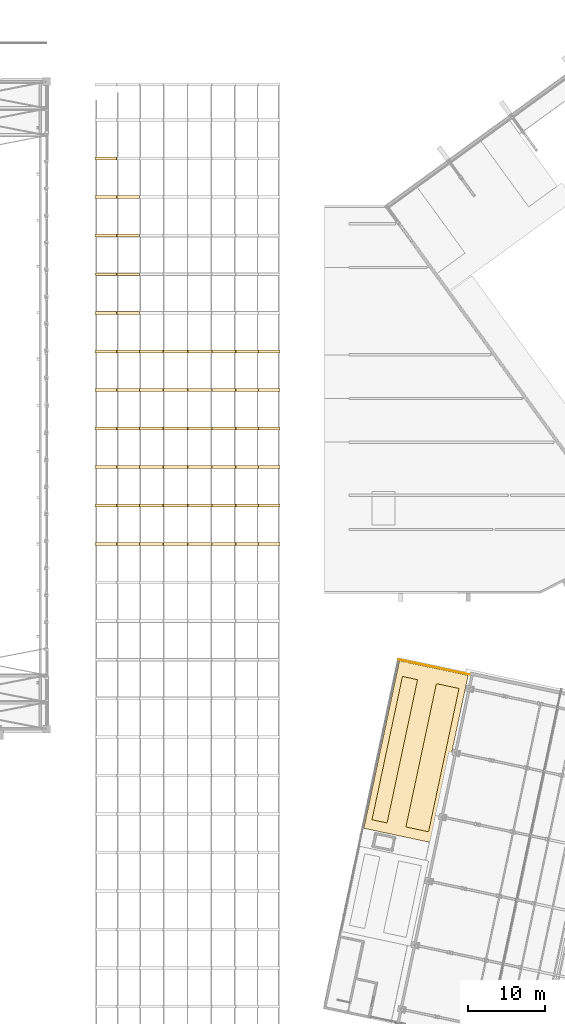
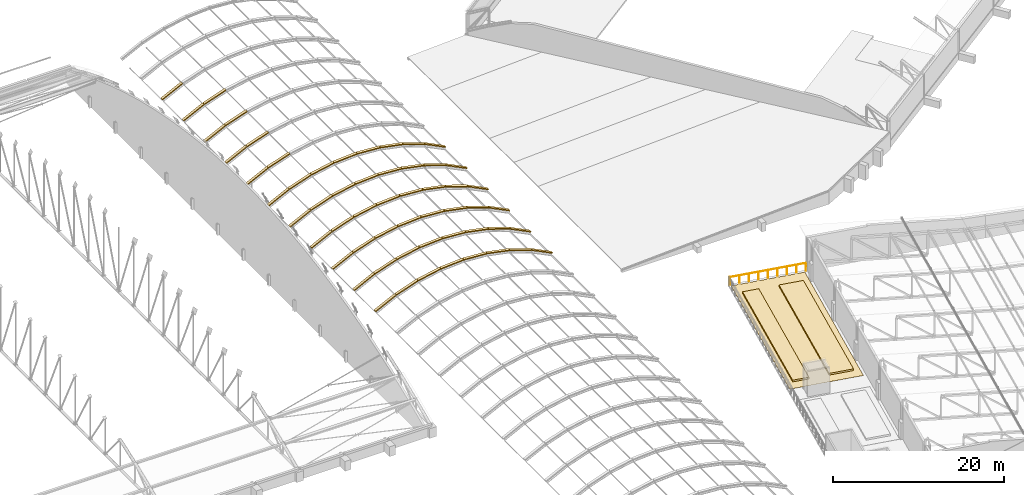
# One storey, part 195 of 196: 60 coverings, 1 railing.
"""IFC4 building model written with IfcOpenShell, lengths in metres."""

from ifc_helpers import new_model, si_unit, direction, frame, origin, origin_2d, place, context, subcontext, project, spatial, polyline, circle, outline, extrude, material, layer, layer_set, type_object, element, save


model = new_model("IFC4")

# Units and contexts
model_context = context("Model", 3, precision=1e-05, world=origin(), true_north=direction((0.0, 1.0)))
body_context = subcontext(model_context, "Body", "Model", "MODEL_VIEW")
ifc_project = project(units=[si_unit("LENGTHUNIT", "METRE"), si_unit("AREAUNIT", "SQUARE_METRE"), si_unit("VOLUMEUNIT", "CUBIC_METRE"), si_unit("PLANEANGLEUNIT", "RADIAN"), si_unit("MASSUNIT", "GRAM", prefix="KILO")], contexts=[model_context])

# Site, building, storey
site_placement = place(None, origin())
site = spatial("IfcSite", under=ifc_project, at=site_placement, CompositionType="ELEMENT")
building_placement = place(site_placement, origin())
building = spatial("IfcBuilding", under=site, at=building_placement, Name="Okhra Congress Centre", CompositionType="ELEMENT")
storey_placement = place(building_placement, frame((0.0, 0.0, 12.0)))
storey = spatial("IfcBuildingStorey", under=building, at=storey_placement, Name="L02", CompositionType="ELEMENT", Elevation=12.0)

# Coverings
ifc_material_1 = material(Name="Extruded aluminium capping, thermally broken", Category="aluminium")
ifc_layer_1 = layer(ifc_material_1, 0.139892578125)
ifc_layer_set_1 = layer_set([ifc_layer_1], Name="Aluminium rib capping 380")
covering_type_1 = type_object("IfcCoveringType", Name="Aluminium rib capping 380", PredefinedType="CLADDING", material=ifc_layer_set_1)
covering_1_placement = place(storey_placement, frame((160.248291015625, 155.81005859375, 1.1064453125), z_axis=(-0.445569024037, 0.0, 0.895247588558), x_axis=(0.895247588558, 0.0, 0.445569024037)))
element("IfcCovering", 1, at=covering_1_placement, inside=storey, type_object=covering_type_1, Name="Rib capping 17.3", PredefinedType="CLADDING", context=body_context, shape_type="SweptSolid", body=[
    extrude(outline(polyline([(0.0, 0.0), (3.089229209156341, 0.0), (3.089229209156341, 0.3798828125), (0.0, 0.3798828125), (0.0, 0.0)])), origin(), (0.0, 0.0, -1.0), 0.139892578125),
])
covering_2_placement = place(storey_placement, frame((163.069091796875, 155.81005859375, 2.506103515625), z_axis=(-0.323875724276, 0.0, 0.946099632822), x_axis=(0.946099632822, 0.0, 0.323875724276)))
element("IfcCovering", 2, at=covering_2_placement, inside=storey, type_object=covering_type_1, Name="Rib capping 17.4", PredefinedType="CLADDING", context=body_context, shape_type="SweptSolid", body=[
    extrude(outline(polyline([(0.0, 0.0), (3.0891116754363894, 0.0), (3.0891116754363894, 0.3798828125), (0.0, 0.3798828125), (0.0, 0.0)])), origin(), (0.0, 0.0, -1.0), 0.139892578125),
])
covering_3_placement = place(storey_placement, frame((166.049560546875, 155.81005859375, 3.522216796875), z_axis=(-0.196632858865, 0.0, 0.980477189339), x_axis=(0.980477189339, 0.0, 0.196632858865)))
element("IfcCovering", 3, at=covering_3_placement, inside=storey, type_object=covering_type_1, Name="Rib capping 17.5", PredefinedType="CLADDING", context=body_context, shape_type="SweptSolid", body=[
    extrude(outline(polyline([(0.0, 0.0), (3.089116836864927, 0.0), (3.089116836864927, 0.3798828125), (0.0, 0.3798828125), (0.0, 0.0)])), origin(), (0.0, 0.0, -1.0), 0.139892578125),
])
for number, where, z_axis, x_axis, name in (
    (4, (169.1376953125, 155.81005859375, 4.137451171875), (-0.065994431109, 0.0, 0.997819991312), (0.997819991312, 0.0, 0.065994431109), "Rib capping 17.6"),
    (5, (172.280029296875, 155.81005859375, 4.34130859375), (0.065994431109, 0.0, 0.997819991312), (0.997819991312, 0.0, -0.065994431109), "Rib capping 17.7"),
):
    element("IfcCovering", number, at=place(storey_placement, frame(where, z_axis=z_axis, x_axis=x_axis)), inside=storey, type_object=covering_type_1, Name=name, PredefinedType="CLADDING", context=body_context, shape_type="SweptSolid", body=[
        extrude(outline(polyline([(0.0, 0.0), (3.0890094580797283, 0.0), (3.0890094580797283, 0.3798828125), (0.0, 0.3798828125), (0.0, 0.0)])), origin(), (0.0, 0.0, -1.0), 0.139892578125),
    ])
covering_4_placement = place(storey_placement, frame((175.421630859375, 155.81005859375, 4.129638671875), z_axis=(0.196632858865, 0.0, 0.980477189339), x_axis=(0.980477189339, 0.0, -0.196632858865)))
element("IfcCovering", 6, at=covering_4_placement, inside=storey, type_object=covering_type_1, Name="Rib capping 17.8", PredefinedType="CLADDING", context=body_context, shape_type="SweptSolid", body=[
    extrude(outline(polyline([(0.0, 0.0), (3.089116836864927, 0.0), (3.089116836864927, 0.3798828125), (0.0, 0.3798828125), (0.0, 0.0)])), origin(), (0.0, 0.0, -1.0), 0.139892578125),
])
covering_5_placement = place(storey_placement, frame((178.50830078125, 155.81005859375, 3.506591796875), z_axis=(0.323875724276, 0.0, 0.946099632822), x_axis=(0.946099632822, 0.0, -0.323875724276)))
element("IfcCovering", 7, at=covering_5_placement, inside=storey, type_object=covering_type_1, Name="Rib capping 17.9", PredefinedType="CLADDING", context=body_context, shape_type="SweptSolid", body=[
    extrude(outline(polyline([(0.0, 0.0), (3.0891116754363894, 0.0), (3.0891116754363894, 0.3798828125), (0.0, 0.3798828125), (0.0, 0.0)])), origin(), (0.0, 0.0, -1.0), 0.139892578125),
])
for number, where, z_axis, x_axis, name in (
    (8, (181.486083984375, 155.81005859375, 2.48291015625), (0.445569024037, 0.0, 0.895247588558), (0.895247588558, 0.0, -0.445569024037), "Rib capping 17.10"),
    (9, (160.248291015625, 160.81005859375, 1.1064453125), (-0.445569024037, 0.0, 0.895247588558), (0.895247588558, 0.0, 0.445569024037), "Rib capping 18.3"),
):
    element("IfcCovering", number, at=place(storey_placement, frame(where, z_axis=z_axis, x_axis=x_axis)), inside=storey, type_object=covering_type_1, Name=name, PredefinedType="CLADDING", context=body_context, shape_type="SweptSolid", body=[
        extrude(outline(polyline([(0.0, 0.0), (3.089229209156341, 0.0), (3.089229209156341, 0.3798828125), (0.0, 0.3798828125), (0.0, 0.0)])), origin(), (0.0, 0.0, -1.0), 0.139892578125),
    ])
covering_6_placement = place(storey_placement, frame((163.069091796875, 160.81005859375, 2.506103515625), z_axis=(-0.323875724276, 0.0, 0.946099632822), x_axis=(0.946099632822, 0.0, 0.323875724276)))
element("IfcCovering", 10, at=covering_6_placement, inside=storey, type_object=covering_type_1, Name="Rib capping 18.4", PredefinedType="CLADDING", context=body_context, shape_type="SweptSolid", body=[
    extrude(outline(polyline([(0.0, 0.0), (3.0891116754363894, 0.0), (3.0891116754363894, 0.3798828125), (0.0, 0.3798828125), (0.0, 0.0)])), origin(), (0.0, 0.0, -1.0), 0.139892578125),
])
covering_7_placement = place(storey_placement, frame((166.049560546875, 160.81005859375, 3.522216796875), z_axis=(-0.196632858865, 0.0, 0.980477189339), x_axis=(0.980477189339, 0.0, 0.196632858865)))
element("IfcCovering", 11, at=covering_7_placement, inside=storey, type_object=covering_type_1, Name="Rib capping 18.5", PredefinedType="CLADDING", context=body_context, shape_type="SweptSolid", body=[
    extrude(outline(polyline([(0.0, 0.0), (3.089116836864927, 0.0), (3.089116836864927, 0.3798828125), (0.0, 0.3798828125), (0.0, 0.0)])), origin(), (0.0, 0.0, -1.0), 0.139892578125),
])
for number, where, z_axis, x_axis, name in (
    (12, (169.1376953125, 160.81005859375, 4.137451171875), (-0.065994431109, 0.0, 0.997819991312), (0.997819991312, 0.0, 0.065994431109), "Rib capping 18.6"),
    (13, (172.280029296875, 160.81005859375, 4.34130859375), (0.065994431109, 0.0, 0.997819991312), (0.997819991312, 0.0, -0.065994431109), "Rib capping 18.7"),
):
    element("IfcCovering", number, at=place(storey_placement, frame(where, z_axis=z_axis, x_axis=x_axis)), inside=storey, type_object=covering_type_1, Name=name, PredefinedType="CLADDING", context=body_context, shape_type="SweptSolid", body=[
        extrude(outline(polyline([(0.0, 0.0), (3.0890094580797283, 0.0), (3.0890094580797283, 0.3798828125), (0.0, 0.3798828125), (0.0, 0.0)])), origin(), (0.0, 0.0, -1.0), 0.139892578125),
    ])
covering_8_placement = place(storey_placement, frame((175.421630859375, 160.81005859375, 4.129638671875), z_axis=(0.196632858865, 0.0, 0.980477189339), x_axis=(0.980477189339, 0.0, -0.196632858865)))
element("IfcCovering", 14, at=covering_8_placement, inside=storey, type_object=covering_type_1, Name="Rib capping 18.8", PredefinedType="CLADDING", context=body_context, shape_type="SweptSolid", body=[
    extrude(outline(polyline([(0.0, 0.0), (3.089116836864927, 0.0), (3.089116836864927, 0.3798828125), (0.0, 0.3798828125), (0.0, 0.0)])), origin(), (0.0, 0.0, -1.0), 0.139892578125),
])
covering_9_placement = place(storey_placement, frame((178.50830078125, 160.81005859375, 3.506591796875), z_axis=(0.323875724276, 0.0, 0.946099632822), x_axis=(0.946099632822, 0.0, -0.323875724276)))
element("IfcCovering", 15, at=covering_9_placement, inside=storey, type_object=covering_type_1, Name="Rib capping 18.9", PredefinedType="CLADDING", context=body_context, shape_type="SweptSolid", body=[
    extrude(outline(polyline([(0.0, 0.0), (3.0891116754363894, 0.0), (3.0891116754363894, 0.3798828125), (0.0, 0.3798828125), (0.0, 0.0)])), origin(), (0.0, 0.0, -1.0), 0.139892578125),
])
for number, where, z_axis, x_axis, name in (
    (16, (181.486083984375, 160.81005859375, 2.48291015625), (0.445569024037, 0.0, 0.895247588558), (0.895247588558, 0.0, -0.445569024037), "Rib capping 18.10"),
    (17, (160.248291015625, 165.81005859375, 1.1064453125), (-0.445569024037, 0.0, 0.895247588558), (0.895247588558, 0.0, 0.445569024037), "Rib capping 19.3"),
):
    element("IfcCovering", number, at=place(storey_placement, frame(where, z_axis=z_axis, x_axis=x_axis)), inside=storey, type_object=covering_type_1, Name=name, PredefinedType="CLADDING", context=body_context, shape_type="SweptSolid", body=[
        extrude(outline(polyline([(0.0, 0.0), (3.089229209156341, 0.0), (3.089229209156341, 0.3798828125), (0.0, 0.3798828125), (0.0, 0.0)])), origin(), (0.0, 0.0, -1.0), 0.139892578125),
    ])
covering_10_placement = place(storey_placement, frame((163.069091796875, 165.81005859375, 2.506103515625), z_axis=(-0.323875724276, 0.0, 0.946099632822), x_axis=(0.946099632822, 0.0, 0.323875724276)))
element("IfcCovering", 18, at=covering_10_placement, inside=storey, type_object=covering_type_1, Name="Rib capping 19.4", PredefinedType="CLADDING", context=body_context, shape_type="SweptSolid", body=[
    extrude(outline(polyline([(0.0, 0.0), (3.0891116754363894, 0.0), (3.0891116754363894, 0.3798828125), (0.0, 0.3798828125), (0.0, 0.0)])), origin(), (0.0, 0.0, -1.0), 0.139892578125),
])
covering_11_placement = place(storey_placement, frame((166.049560546875, 165.81005859375, 3.522216796875), z_axis=(-0.196632858865, 0.0, 0.980477189339), x_axis=(0.980477189339, 0.0, 0.196632858865)))
element("IfcCovering", 19, at=covering_11_placement, inside=storey, type_object=covering_type_1, Name="Rib capping 19.5", PredefinedType="CLADDING", context=body_context, shape_type="SweptSolid", body=[
    extrude(outline(polyline([(0.0, 0.0), (3.089116836864927, 0.0), (3.089116836864927, 0.3798828125), (0.0, 0.3798828125), (0.0, 0.0)])), origin(), (0.0, 0.0, -1.0), 0.139892578125),
])
for number, where, z_axis, x_axis, name in (
    (20, (169.1376953125, 165.81005859375, 4.137451171875), (-0.065994431109, 0.0, 0.997819991312), (0.997819991312, 0.0, 0.065994431109), "Rib capping 19.6"),
    (21, (172.280029296875, 165.81005859375, 4.34130859375), (0.065994431109, 0.0, 0.997819991312), (0.997819991312, 0.0, -0.065994431109), "Rib capping 19.7"),
):
    element("IfcCovering", number, at=place(storey_placement, frame(where, z_axis=z_axis, x_axis=x_axis)), inside=storey, type_object=covering_type_1, Name=name, PredefinedType="CLADDING", context=body_context, shape_type="SweptSolid", body=[
        extrude(outline(polyline([(0.0, 0.0), (3.0890094580797283, 0.0), (3.0890094580797283, 0.3798828125), (0.0, 0.3798828125), (0.0, 0.0)])), origin(), (0.0, 0.0, -1.0), 0.139892578125),
    ])
covering_12_placement = place(storey_placement, frame((175.421630859375, 165.81005859375, 4.129638671875), z_axis=(0.196632858865, 0.0, 0.980477189339), x_axis=(0.980477189339, 0.0, -0.196632858865)))
element("IfcCovering", 22, at=covering_12_placement, inside=storey, type_object=covering_type_1, Name="Rib capping 19.8", PredefinedType="CLADDING", context=body_context, shape_type="SweptSolid", body=[
    extrude(outline(polyline([(0.0, 0.0), (3.089116836864927, 0.0), (3.089116836864927, 0.3798828125), (0.0, 0.3798828125), (0.0, 0.0)])), origin(), (0.0, 0.0, -1.0), 0.139892578125),
])
covering_13_placement = place(storey_placement, frame((178.50830078125, 165.81005859375, 3.506591796875), z_axis=(0.323875724276, 0.0, 0.946099632822), x_axis=(0.946099632822, 0.0, -0.323875724276)))
element("IfcCovering", 23, at=covering_13_placement, inside=storey, type_object=covering_type_1, Name="Rib capping 19.9", PredefinedType="CLADDING", context=body_context, shape_type="SweptSolid", body=[
    extrude(outline(polyline([(0.0, 0.0), (3.0891116754363894, 0.0), (3.0891116754363894, 0.3798828125), (0.0, 0.3798828125), (0.0, 0.0)])), origin(), (0.0, 0.0, -1.0), 0.139892578125),
])
for number, where, z_axis, x_axis, name in (
    (24, (181.486083984375, 165.81005859375, 2.48291015625), (0.445569024037, 0.0, 0.895247588558), (0.895247588558, 0.0, -0.445569024037), "Rib capping 19.10"),
    (25, (160.248291015625, 170.81005859375, 1.1064453125), (-0.445569024037, 0.0, 0.895247588558), (0.895247588558, 0.0, 0.445569024037), "Rib capping 20.3"),
):
    element("IfcCovering", number, at=place(storey_placement, frame(where, z_axis=z_axis, x_axis=x_axis)), inside=storey, type_object=covering_type_1, Name=name, PredefinedType="CLADDING", context=body_context, shape_type="SweptSolid", body=[
        extrude(outline(polyline([(0.0, 0.0), (3.089229209156341, 0.0), (3.089229209156341, 0.3798828125), (0.0, 0.3798828125), (0.0, 0.0)])), origin(), (0.0, 0.0, -1.0), 0.139892578125),
    ])
covering_14_placement = place(storey_placement, frame((163.069091796875, 170.81005859375, 2.506103515625), z_axis=(-0.323875724276, 0.0, 0.946099632822), x_axis=(0.946099632822, 0.0, 0.323875724276)))
element("IfcCovering", 26, at=covering_14_placement, inside=storey, type_object=covering_type_1, Name="Rib capping 20.4", PredefinedType="CLADDING", context=body_context, shape_type="SweptSolid", body=[
    extrude(outline(polyline([(0.0, 0.0), (3.0891116754363894, 0.0), (3.0891116754363894, 0.3798828125), (0.0, 0.3798828125), (0.0, 0.0)])), origin(), (0.0, 0.0, -1.0), 0.139892578125),
])
covering_15_placement = place(storey_placement, frame((166.049560546875, 170.81005859375, 3.522216796875), z_axis=(-0.196632858865, 0.0, 0.980477189339), x_axis=(0.980477189339, 0.0, 0.196632858865)))
element("IfcCovering", 27, at=covering_15_placement, inside=storey, type_object=covering_type_1, Name="Rib capping 20.5", PredefinedType="CLADDING", context=body_context, shape_type="SweptSolid", body=[
    extrude(outline(polyline([(0.0, 0.0), (3.089116836864927, 0.0), (3.089116836864927, 0.3798828125), (0.0, 0.3798828125), (0.0, 0.0)])), origin(), (0.0, 0.0, -1.0), 0.139892578125),
])
for number, where, z_axis, x_axis, name in (
    (28, (169.1376953125, 170.81005859375, 4.137451171875), (-0.065994431109, 0.0, 0.997819991312), (0.997819991312, 0.0, 0.065994431109), "Rib capping 20.6"),
    (29, (172.280029296875, 170.81005859375, 4.34130859375), (0.065994431109, 0.0, 0.997819991312), (0.997819991312, 0.0, -0.065994431109), "Rib capping 20.7"),
):
    element("IfcCovering", number, at=place(storey_placement, frame(where, z_axis=z_axis, x_axis=x_axis)), inside=storey, type_object=covering_type_1, Name=name, PredefinedType="CLADDING", context=body_context, shape_type="SweptSolid", body=[
        extrude(outline(polyline([(0.0, 0.0), (3.0890094580797283, 0.0), (3.0890094580797283, 0.3798828125), (0.0, 0.3798828125), (0.0, 0.0)])), origin(), (0.0, 0.0, -1.0), 0.139892578125),
    ])
covering_16_placement = place(storey_placement, frame((175.421630859375, 170.81005859375, 4.129638671875), z_axis=(0.196632858865, 0.0, 0.980477189339), x_axis=(0.980477189339, 0.0, -0.196632858865)))
element("IfcCovering", 30, at=covering_16_placement, inside=storey, type_object=covering_type_1, Name="Rib capping 20.8", PredefinedType="CLADDING", context=body_context, shape_type="SweptSolid", body=[
    extrude(outline(polyline([(0.0, 0.0), (3.089116836864927, 0.0), (3.089116836864927, 0.3798828125), (0.0, 0.3798828125), (0.0, 0.0)])), origin(), (0.0, 0.0, -1.0), 0.139892578125),
])
covering_17_placement = place(storey_placement, frame((178.50830078125, 170.81005859375, 3.506591796875), z_axis=(0.323875724276, 0.0, 0.946099632822), x_axis=(0.946099632822, 0.0, -0.323875724276)))
element("IfcCovering", 31, at=covering_17_placement, inside=storey, type_object=covering_type_1, Name="Rib capping 20.9", PredefinedType="CLADDING", context=body_context, shape_type="SweptSolid", body=[
    extrude(outline(polyline([(0.0, 0.0), (3.0891116754363894, 0.0), (3.0891116754363894, 0.3798828125), (0.0, 0.3798828125), (0.0, 0.0)])), origin(), (0.0, 0.0, -1.0), 0.139892578125),
])
for number, where, z_axis, x_axis, name in (
    (32, (181.486083984375, 170.81005859375, 2.48291015625), (0.445569024037, 0.0, 0.895247588558), (0.895247588558, 0.0, -0.445569024037), "Rib capping 20.10"),
    (33, (160.248291015625, 175.81005859375, 1.1064453125), (-0.445569024037, 0.0, 0.895247588558), (0.895247588558, 0.0, 0.445569024037), "Rib capping 21.3"),
):
    element("IfcCovering", number, at=place(storey_placement, frame(where, z_axis=z_axis, x_axis=x_axis)), inside=storey, type_object=covering_type_1, Name=name, PredefinedType="CLADDING", context=body_context, shape_type="SweptSolid", body=[
        extrude(outline(polyline([(0.0, 0.0), (3.089229209156341, 0.0), (3.089229209156341, 0.3798828125), (0.0, 0.3798828125), (0.0, 0.0)])), origin(), (0.0, 0.0, -1.0), 0.139892578125),
    ])
covering_18_placement = place(storey_placement, frame((163.069091796875, 175.81005859375, 2.506103515625), z_axis=(-0.323875724276, 0.0, 0.946099632822), x_axis=(0.946099632822, 0.0, 0.323875724276)))
element("IfcCovering", 34, at=covering_18_placement, inside=storey, type_object=covering_type_1, Name="Rib capping 21.4", PredefinedType="CLADDING", context=body_context, shape_type="SweptSolid", body=[
    extrude(outline(polyline([(0.0, 0.0), (3.0891116754363894, 0.0), (3.0891116754363894, 0.3798828125), (0.0, 0.3798828125), (0.0, 0.0)])), origin(), (0.0, 0.0, -1.0), 0.139892578125),
])
covering_19_placement = place(storey_placement, frame((166.049560546875, 175.81005859375, 3.522216796875), z_axis=(-0.196632858865, 0.0, 0.980477189339), x_axis=(0.980477189339, 0.0, 0.196632858865)))
element("IfcCovering", 35, at=covering_19_placement, inside=storey, type_object=covering_type_1, Name="Rib capping 21.5", PredefinedType="CLADDING", context=body_context, shape_type="SweptSolid", body=[
    extrude(outline(polyline([(0.0, 0.0), (3.089116836864927, 0.0), (3.089116836864927, 0.3798828125), (0.0, 0.3798828125), (0.0, 0.0)])), origin(), (0.0, 0.0, -1.0), 0.139892578125),
])
for number, where, z_axis, x_axis, name in (
    (36, (169.1376953125, 175.81005859375, 4.137451171875), (-0.065994431109, 0.0, 0.997819991312), (0.997819991312, 0.0, 0.065994431109), "Rib capping 21.6"),
    (37, (172.280029296875, 175.81005859375, 4.34130859375), (0.065994431109, 0.0, 0.997819991312), (0.997819991312, 0.0, -0.065994431109), "Rib capping 21.7"),
):
    element("IfcCovering", number, at=place(storey_placement, frame(where, z_axis=z_axis, x_axis=x_axis)), inside=storey, type_object=covering_type_1, Name=name, PredefinedType="CLADDING", context=body_context, shape_type="SweptSolid", body=[
        extrude(outline(polyline([(0.0, 0.0), (3.0890094580797283, 0.0), (3.0890094580797283, 0.3798828125), (0.0, 0.3798828125), (0.0, 0.0)])), origin(), (0.0, 0.0, -1.0), 0.139892578125),
    ])
covering_20_placement = place(storey_placement, frame((175.421630859375, 175.81005859375, 4.129638671875), z_axis=(0.196632858865, 0.0, 0.980477189339), x_axis=(0.980477189339, 0.0, -0.196632858865)))
element("IfcCovering", 38, at=covering_20_placement, inside=storey, type_object=covering_type_1, Name="Rib capping 21.8", PredefinedType="CLADDING", context=body_context, shape_type="SweptSolid", body=[
    extrude(outline(polyline([(0.0, 0.0), (3.089116836864927, 0.0), (3.089116836864927, 0.3798828125), (0.0, 0.3798828125), (0.0, 0.0)])), origin(), (0.0, 0.0, -1.0), 0.139892578125),
])
covering_21_placement = place(storey_placement, frame((178.50830078125, 175.81005859375, 3.506591796875), z_axis=(0.323875724276, 0.0, 0.946099632822), x_axis=(0.946099632822, 0.0, -0.323875724276)))
element("IfcCovering", 39, at=covering_21_placement, inside=storey, type_object=covering_type_1, Name="Rib capping 21.9", PredefinedType="CLADDING", context=body_context, shape_type="SweptSolid", body=[
    extrude(outline(polyline([(0.0, 0.0), (3.0891116754363894, 0.0), (3.0891116754363894, 0.3798828125), (0.0, 0.3798828125), (0.0, 0.0)])), origin(), (0.0, 0.0, -1.0), 0.139892578125),
])
for number, where, z_axis, x_axis, name in (
    (40, (181.486083984375, 175.81005859375, 2.48291015625), (0.445569024037, 0.0, 0.895247588558), (0.895247588558, 0.0, -0.445569024037), "Rib capping 21.10"),
    (41, (160.248291015625, 180.81005859375, 1.1064453125), (-0.445569024037, 0.0, 0.895247588558), (0.895247588558, 0.0, 0.445569024037), "Rib capping 22.3"),
):
    element("IfcCovering", number, at=place(storey_placement, frame(where, z_axis=z_axis, x_axis=x_axis)), inside=storey, type_object=covering_type_1, Name=name, PredefinedType="CLADDING", context=body_context, shape_type="SweptSolid", body=[
        extrude(outline(polyline([(0.0, 0.0), (3.089229209156341, 0.0), (3.089229209156341, 0.3798828125), (0.0, 0.3798828125), (0.0, 0.0)])), origin(), (0.0, 0.0, -1.0), 0.139892578125),
    ])
covering_22_placement = place(storey_placement, frame((163.069091796875, 180.81005859375, 2.506103515625), z_axis=(-0.323875724276, 0.0, 0.946099632822), x_axis=(0.946099632822, 0.0, 0.323875724276)))
element("IfcCovering", 42, at=covering_22_placement, inside=storey, type_object=covering_type_1, Name="Rib capping 22.4", PredefinedType="CLADDING", context=body_context, shape_type="SweptSolid", body=[
    extrude(outline(polyline([(0.0, 0.0), (3.0891116754363894, 0.0), (3.0891116754363894, 0.3798828125), (0.0, 0.3798828125), (0.0, 0.0)])), origin(), (0.0, 0.0, -1.0), 0.139892578125),
])
covering_23_placement = place(storey_placement, frame((166.049560546875, 180.81005859375, 3.522216796875), z_axis=(-0.196632858865, 0.0, 0.980477189339), x_axis=(0.980477189339, 0.0, 0.196632858865)))
element("IfcCovering", 43, at=covering_23_placement, inside=storey, type_object=covering_type_1, Name="Rib capping 22.5", PredefinedType="CLADDING", context=body_context, shape_type="SweptSolid", body=[
    extrude(outline(polyline([(0.0, 0.0), (3.089116836864927, 0.0), (3.089116836864927, 0.3798828125), (0.0, 0.3798828125), (0.0, 0.0)])), origin(), (0.0, 0.0, -1.0), 0.139892578125),
])
for number, where, z_axis, x_axis, name in (
    (44, (169.1376953125, 180.81005859375, 4.137451171875), (-0.065994431109, 0.0, 0.997819991312), (0.997819991312, 0.0, 0.065994431109), "Rib capping 22.6"),
    (45, (172.280029296875, 180.81005859375, 4.34130859375), (0.065994431109, 0.0, 0.997819991312), (0.997819991312, 0.0, -0.065994431109), "Rib capping 22.7"),
):
    element("IfcCovering", number, at=place(storey_placement, frame(where, z_axis=z_axis, x_axis=x_axis)), inside=storey, type_object=covering_type_1, Name=name, PredefinedType="CLADDING", context=body_context, shape_type="SweptSolid", body=[
        extrude(outline(polyline([(0.0, 0.0), (3.0890094580797283, 0.0), (3.0890094580797283, 0.3798828125), (0.0, 0.3798828125), (0.0, 0.0)])), origin(), (0.0, 0.0, -1.0), 0.139892578125),
    ])
covering_24_placement = place(storey_placement, frame((175.421630859375, 180.81005859375, 4.129638671875), z_axis=(0.196632858865, 0.0, 0.980477189339), x_axis=(0.980477189339, 0.0, -0.196632858865)))
element("IfcCovering", 46, at=covering_24_placement, inside=storey, type_object=covering_type_1, Name="Rib capping 22.8", PredefinedType="CLADDING", context=body_context, shape_type="SweptSolid", body=[
    extrude(outline(polyline([(0.0, 0.0), (3.089116836864927, 0.0), (3.089116836864927, 0.3798828125), (0.0, 0.3798828125), (0.0, 0.0)])), origin(), (0.0, 0.0, -1.0), 0.139892578125),
])
covering_25_placement = place(storey_placement, frame((178.50830078125, 180.81005859375, 3.506591796875), z_axis=(0.323875724276, 0.0, 0.946099632822), x_axis=(0.946099632822, 0.0, -0.323875724276)))
element("IfcCovering", 47, at=covering_25_placement, inside=storey, type_object=covering_type_1, Name="Rib capping 22.9", PredefinedType="CLADDING", context=body_context, shape_type="SweptSolid", body=[
    extrude(outline(polyline([(0.0, 0.0), (3.0891116754363894, 0.0), (3.0891116754363894, 0.3798828125), (0.0, 0.3798828125), (0.0, 0.0)])), origin(), (0.0, 0.0, -1.0), 0.139892578125),
])
for number, where, z_axis, x_axis, name in (
    (48, (181.486083984375, 180.81005859375, 2.48291015625), (0.445569024037, 0.0, 0.895247588558), (0.895247588558, 0.0, -0.445569024037), "Rib capping 22.10"),
    (49, (160.248291015625, 185.81005859375, 1.1064453125), (-0.445569024037, 0.0, 0.895247588558), (0.895247588558, 0.0, 0.445569024037), "Rib capping 23.3"),
):
    element("IfcCovering", number, at=place(storey_placement, frame(where, z_axis=z_axis, x_axis=x_axis)), inside=storey, type_object=covering_type_1, Name=name, PredefinedType="CLADDING", context=body_context, shape_type="SweptSolid", body=[
        extrude(outline(polyline([(0.0, 0.0), (3.089229209156341, 0.0), (3.089229209156341, 0.3798828125), (0.0, 0.3798828125), (0.0, 0.0)])), origin(), (0.0, 0.0, -1.0), 0.139892578125),
    ])
covering_26_placement = place(storey_placement, frame((163.069091796875, 185.81005859375, 2.506103515625), z_axis=(-0.323875724276, 0.0, 0.946099632822), x_axis=(0.946099632822, 0.0, 0.323875724276)))
element("IfcCovering", 50, at=covering_26_placement, inside=storey, type_object=covering_type_1, Name="Rib capping 23.4", PredefinedType="CLADDING", context=body_context, shape_type="SweptSolid", body=[
    extrude(outline(polyline([(0.0, 0.0), (3.0891116754363894, 0.0), (3.0891116754363894, 0.3798828125), (0.0, 0.3798828125), (0.0, 0.0)])), origin(), (0.0, 0.0, -1.0), 0.139892578125),
])
covering_27_placement = place(storey_placement, frame((160.248291015625, 190.81005859375, 1.1064453125), z_axis=(-0.445569024037, 0.0, 0.895247588558), x_axis=(0.895247588558, 0.0, 0.445569024037)))
element("IfcCovering", 51, at=covering_27_placement, inside=storey, type_object=covering_type_1, Name="Rib capping 24.3", PredefinedType="CLADDING", context=body_context, shape_type="SweptSolid", body=[
    extrude(outline(polyline([(0.0, 0.0), (3.089229209156341, 0.0), (3.089229209156341, 0.3798828125), (0.0, 0.3798828125), (0.0, 0.0)])), origin(), (0.0, 0.0, -1.0), 0.139892578125),
])
covering_28_placement = place(storey_placement, frame((163.069091796875, 190.81005859375, 2.506103515625), z_axis=(-0.323875724276, 0.0, 0.946099632822), x_axis=(0.946099632822, 0.0, 0.323875724276)))
element("IfcCovering", 52, at=covering_28_placement, inside=storey, type_object=covering_type_1, Name="Rib capping 24.4", PredefinedType="CLADDING", context=body_context, shape_type="SweptSolid", body=[
    extrude(outline(polyline([(0.0, 0.0), (3.0891116754363894, 0.0), (3.0891116754363894, 0.3798828125), (0.0, 0.3798828125), (0.0, 0.0)])), origin(), (0.0, 0.0, -1.0), 0.139892578125),
])
covering_29_placement = place(storey_placement, frame((160.248291015625, 195.81005859375, 1.1064453125), z_axis=(-0.445569024037, 0.0, 0.895247588558), x_axis=(0.895247588558, 0.0, 0.445569024037)))
element("IfcCovering", 53, at=covering_29_placement, inside=storey, type_object=covering_type_1, Name="Rib capping 25.3", PredefinedType="CLADDING", context=body_context, shape_type="SweptSolid", body=[
    extrude(outline(polyline([(0.0, 0.0), (3.089229209156341, 0.0), (3.089229209156341, 0.3798828125), (0.0, 0.3798828125), (0.0, 0.0)])), origin(), (0.0, 0.0, -1.0), 0.139892578125),
])
covering_30_placement = place(storey_placement, frame((163.069091796875, 195.81005859375, 2.506103515625), z_axis=(-0.323875724276, 0.0, 0.946099632822), x_axis=(0.946099632822, 0.0, 0.323875724276)))
element("IfcCovering", 54, at=covering_30_placement, inside=storey, type_object=covering_type_1, Name="Rib capping 25.4", PredefinedType="CLADDING", context=body_context, shape_type="SweptSolid", body=[
    extrude(outline(polyline([(0.0, 0.0), (3.0891116754363894, 0.0), (3.0891116754363894, 0.3798828125), (0.0, 0.3798828125), (0.0, 0.0)])), origin(), (0.0, 0.0, -1.0), 0.139892578125),
])
covering_31_placement = place(storey_placement, frame((160.248291015625, 200.81005859375, 1.1064453125), z_axis=(-0.445569024037, 0.0, 0.895247588558), x_axis=(0.895247588558, 0.0, 0.445569024037)))
element("IfcCovering", 55, at=covering_31_placement, inside=storey, type_object=covering_type_1, Name="Rib capping 26.3", PredefinedType="CLADDING", context=body_context, shape_type="SweptSolid", body=[
    extrude(outline(polyline([(0.0, 0.0), (3.089229209156341, 0.0), (3.089229209156341, 0.3798828125), (0.0, 0.3798828125), (0.0, 0.0)])), origin(), (0.0, 0.0, -1.0), 0.139892578125),
])
covering_32_placement = place(storey_placement, frame((163.069091796875, 200.81005859375, 2.506103515625), z_axis=(-0.323875724276, 0.0, 0.946099632822), x_axis=(0.946099632822, 0.0, 0.323875724276)))
element("IfcCovering", 56, at=covering_32_placement, inside=storey, type_object=covering_type_1, Name="Rib capping 26.4", PredefinedType="CLADDING", context=body_context, shape_type="SweptSolid", body=[
    extrude(outline(polyline([(0.0, 0.0), (3.0891116754363894, 0.0), (3.0891116754363894, 0.3798828125), (0.0, 0.3798828125), (0.0, 0.0)])), origin(), (0.0, 0.0, -1.0), 0.139892578125),
])
covering_33_placement = place(storey_placement, frame((160.248291015625, 205.81005859375, 1.1064453125), z_axis=(-0.445569024037, 0.0, 0.895247588558), x_axis=(0.895247588558, 0.0, 0.445569024037)))
element("IfcCovering", 57, at=covering_33_placement, inside=storey, type_object=covering_type_1, Name="Rib capping 27.3", PredefinedType="CLADDING", context=body_context, shape_type="SweptSolid", body=[
    extrude(outline(polyline([(0.0, 0.0), (3.089229209156341, 0.0), (3.089229209156341, 0.3798828125), (0.0, 0.3798828125), (0.0, 0.0)])), origin(), (0.0, 0.0, -1.0), 0.139892578125),
])

# Railing
ifc_material_2 = material(Name="Laminated toughened glass balustrade with a stainless handrail, fixed in a base channel", Category="glass")
railing_type = type_object("IfcRailingType", Name="Glass balustrade guard 1200", PredefinedType="GUARDRAIL", material=ifc_material_2)
railing_placement = place(storey_placement, frame((199.672119140625, 141.02294921875, 0.0)))
element("IfcRailing", 58, at=railing_placement, inside=storey, type_object=railing_type, Name="Foyer terrace north guard", PredefinedType="GUARDRAIL", context=body_context, shape_type="SweptSolid", body=[
    extrude(circle(Radius=0.02392578125, at=origin_2d()), frame((0.0, 0.0, 1.17578125), z_axis=(0.978148090206, -0.207909388017, 0.0), x_axis=(0.207909388017, 0.978148090206, 0.0)), (0.0, 0.0, 1.0), 9.39990234375),
    extrude(circle(Radius=0.02099609375, at=origin_2d()), origin(), (0.0, 0.0, 1.0), 1.15185546875),
    extrude(circle(Radius=0.02099609375, at=origin_2d()), frame((1.1494140625, -0.244384765625, 0.0)), (0.0, 0.0, 1.0), 1.15185546875),
    extrude(circle(Radius=0.02099609375, at=origin_2d()), frame((2.298583984375, -0.488525390625, 0.0)), (0.0, 0.0, 1.0), 1.15185546875),
    extrude(circle(Radius=0.02099609375, at=origin_2d()), frame((3.447998046875, -0.73291015625, 0.0)), (0.0, 0.0, 1.0), 1.15185546875),
    extrude(circle(Radius=0.02099609375, at=origin_2d()), frame((4.59716796875, -0.97705078125, 0.0)), (0.0, 0.0, 1.0), 1.15185546875),
    extrude(circle(Radius=0.02099609375, at=origin_2d()), frame((5.74658203125, -1.221435546875, 0.0)), (0.0, 0.0, 1.0), 1.15185546875),
    extrude(circle(Radius=0.02099609375, at=origin_2d()), frame((6.89599609375, -1.4658203125, 0.0)), (0.0, 0.0, 1.0), 1.15185546875),
    extrude(circle(Radius=0.02099609375, at=origin_2d()), frame((8.045166015625, -1.7099609375, 0.0)), (0.0, 0.0, 1.0), 1.15185546875),
    extrude(circle(Radius=0.02099609375, at=origin_2d()), frame((9.194580078125, -1.954345703125, 0.0)), (0.0, 0.0, 1.0), 1.15185546875),
])

# Coverings
ifc_material_3 = material(Name="Drainage mat, filter fleece, 150 mm lightweight substrate with sedum and herb planting")
ifc_layer_2 = layer(ifc_material_3, 0.25)
ifc_layer_set_2 = layer_set([ifc_layer_2], Name="Green roof planting bed 250")
covering_type_2 = type_object("IfcCoveringType", Name="Green roof planting bed 250", PredefinedType="USERDEFINED", material=ifc_layer_set_2)
covering_34_placement = place(storey_placement, frame((0.0, 0.0, 0.006103515625)))
element("IfcCovering", 59, at=covering_34_placement, inside=storey, type_object=covering_type_2, Name="Green roof planting bed", ObjectType="GREEN ROOF", PredefinedType="USERDEFINED", context=body_context, shape_type="SweptSolid", body=[
    extrude(outline(polyline([(196.176025390625, 120.245849609375), (198.13232421875, 119.829833984375), (202.08251953125, 138.414794921875), (200.126220703125, 138.83056640625), (196.176025390625, 120.245849609375)])), origin(), (0.0, 0.0, 1.0), 0.25),
])
covering_35_placement = place(storey_placement, frame((0.0, 0.0, 0.006103515625)))
element("IfcCovering", 60, at=covering_35_placement, inside=storey, type_object=covering_type_2, Name="Green roof planting bed", ObjectType="GREEN ROOF", PredefinedType="USERDEFINED", context=body_context, shape_type="SweptSolid", body=[
    extrude(outline(polyline([(200.57763671875, 119.31005859375), (203.511962890625, 118.6865234375), (207.46240234375, 137.271240234375), (204.52783203125, 137.89501953125), (200.57763671875, 119.31005859375)])), origin(), (0.0, 0.0, 1.0), 0.25),
])
ifc_material_4 = material(Name="Root-resistant bituminous waterproofing membrane, two layers")
ifc_layer_3 = layer(ifc_material_4, 0.006103515625)
ifc_layer_set_3 = layer_set([ifc_layer_3], Name="Roof waterproofing membrane 6")
covering_type_3 = type_object("IfcCoveringType", Name="Roof waterproofing membrane 6", PredefinedType="MEMBRANE", material=ifc_layer_set_3)
covering_36_placement = place(storey_placement, origin())
element("IfcCovering", 61, at=covering_36_placement, inside=storey, type_object=covering_type_3, Name="Roof waterproofing membrane", PredefinedType="MEMBRANE", context=body_context, shape_type="SweptSolid", body=[
    extrude(outline(polyline([(195.123046875, 119.140625), (204.024169921875, 117.24853515625), (208.639892578125, 138.96337890625), (199.73876953125, 140.85546875), (195.123046875, 119.140625)])), origin(), (0.0, 0.0, 1.0), 0.006103515625),
])

save(model, "model.ifc")
